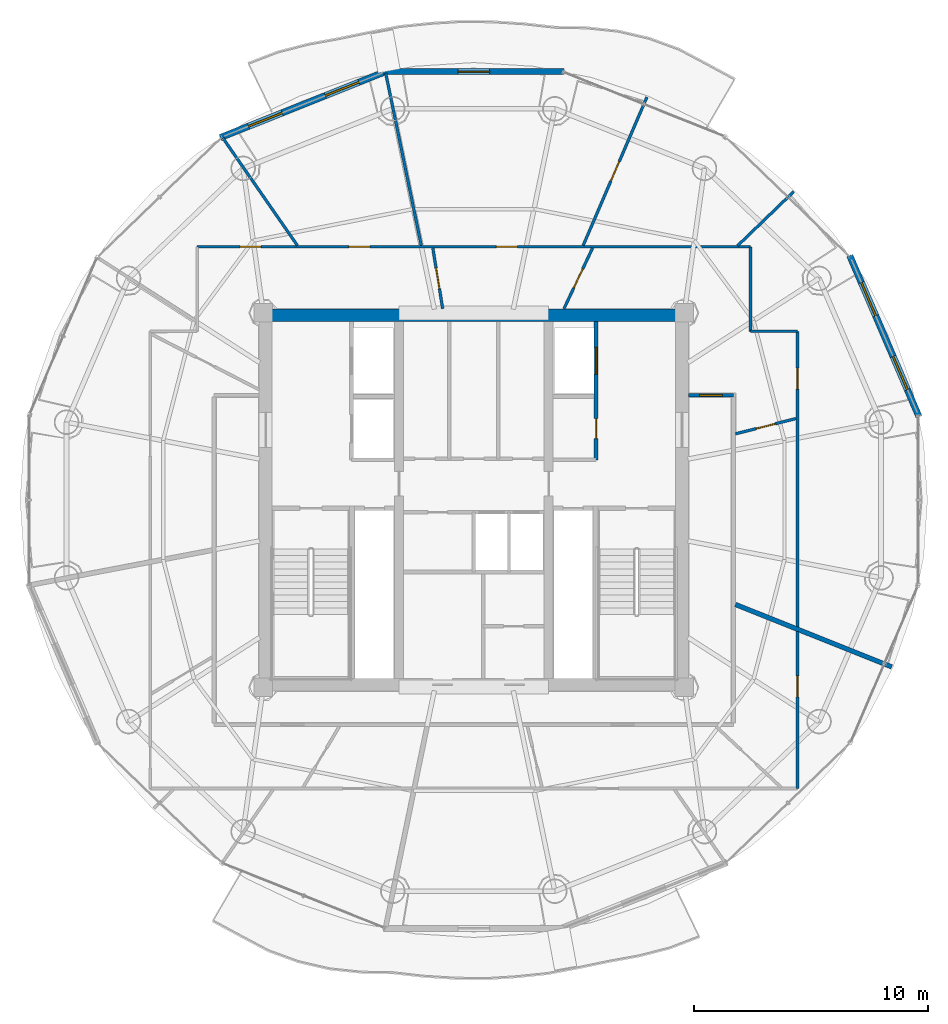
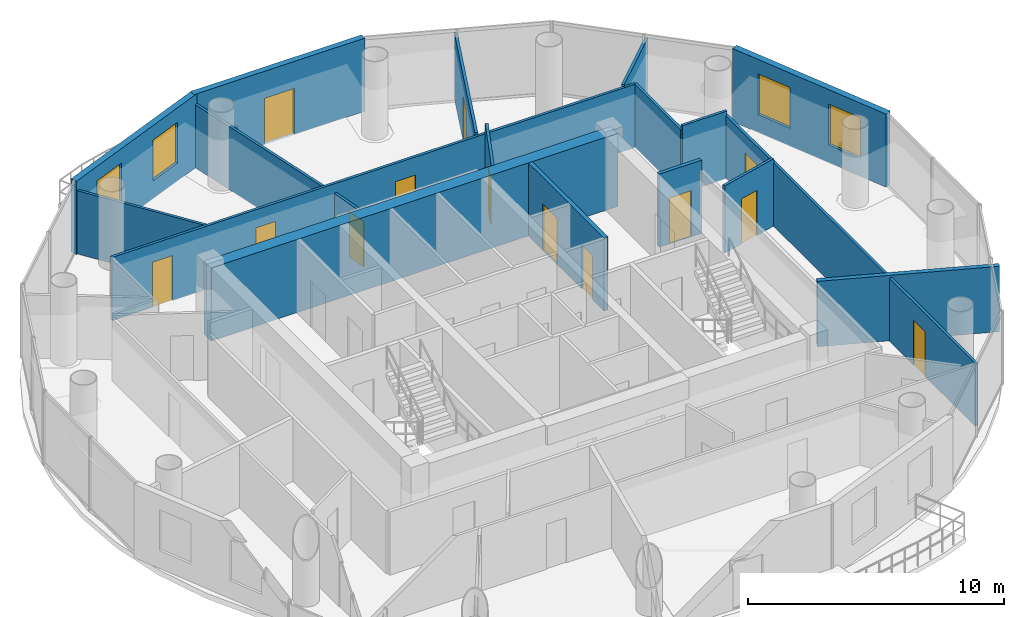
# One storey, part 19 of 23: 19 walls, 13 doors, 4 windows, 17 openings.
"""IFC4 building model written with IfcOpenShell, lengths in metres."""

from ifc_helpers import new_model, si_unit, direction, frame, frame_2d, origin, place, context, subcontext, project, spatial, rectangle, extrude, source, transform, mapped, material, layer, layer_set, type_object, element, fill, save


model = new_model("IFC4")

# Units and contexts
model_context = context("Model", 3, precision=1e-05, world=origin(), true_north=direction((-0.2419218956, 0.970295726276)))
body_context = subcontext(model_context, "Body", "Model", "MODEL_VIEW")
ifc_project = project(units=[si_unit("LENGTHUNIT", "METRE"), si_unit("AREAUNIT", "SQUARE_METRE"), si_unit("VOLUMEUNIT", "CUBIC_METRE"), si_unit("PLANEANGLEUNIT", "RADIAN"), si_unit("MASSUNIT", "GRAM", prefix="KILO")], contexts=[model_context])

# Site, building, storey
site_placement = place(None, origin())
site = spatial("IfcSite", under=ifc_project, at=site_placement, CompositionType="ELEMENT")
building_placement = place(site_placement, origin())
building = spatial("IfcBuilding", under=site, at=building_placement, Name="Cobrevalo Terracotta Tower", CompositionType="ELEMENT")
storey_placement = place(building_placement, frame((0.0, 0.0, 251.949951171875)))
storey = spatial("IfcBuildingStorey", under=building, at=storey_placement, Name="L66", CompositionType="ELEMENT", Elevation=251.949951171875)

# Wall
ifc_material_1 = material(Name="Concrete C50", Category="concrete")
ifc_layer_1 = layer(ifc_material_1, 0.550048828125)
ifc_layer_set_1 = layer_set([ifc_layer_1], Name="Concrete C50")
wall_type_1 = type_object("IfcWallType", Name="Core shear wall 550 mm Concrete C50", PredefinedType="SHEAR", material=ifc_layer_set_1)
wall_1_placement = place(storey_placement, frame((28.824951171875, 34.699951171875, 0.0), z_axis=(0.0, 0.0, 1.0), x_axis=(1.0, 0.0, 0.0)))
element("IfcWall", 1, at=wall_1_placement, inside=storey, type_object=wall_type_1, Name="L66 north core shear wall", PredefinedType="SHEAR", context=body_context, shape_type="SweptSolid", body=[
    extrude(rectangle(XDim=18.35009765625, YDim=0.550048828125, at=frame_2d((9.175048828125, 0.0))), origin(), (0.0, 0.0, 1.0), 3.489990234375),
])

# Wall, opening, door
ifc_material_2 = material(Name="Gypsum board on steel stud", Category="steel")
ifc_layer_2 = layer(ifc_material_2, 0.159912109375)
ifc_layer_set_2 = layer_set([ifc_layer_2], Name="Gypsum board on steel stud")
wall_type_2 = type_object("IfcWallType", Name="Fire-rated corridor acoustic partition wall 160 mm", PredefinedType="PARTITIONING", material=ifc_layer_set_2)
wall_2_placement = place(storey_placement, frame((47.175048828125, 31.280029296875, 0.0), z_axis=(0.0, 0.0, 1.0), x_axis=(1.0, 0.0, 0.0)))
wall_2 = element("IfcWall", 2, at=wall_2_placement, inside=storey, type_object=wall_type_2, Name="L66 interior partition IW-L66-COR-EN-CAP", PredefinedType="PARTITIONING", context=body_context, shape_type="SweptSolid", body=[
    extrude(rectangle(XDim=1.929931640625, YDim=0.159912109375, at=frame_2d((0.96484375, 0.0))), origin(), (0.0, 0.0, 1.0), 3.489990234375),
])
opening_1_placement = place(wall_2_placement, frame((0.47509765625, 0.0, 0.0)))
opening_1 = element("IfcOpeningElement", 3, at=opening_1_placement, cuts=wall_2, Name="Opening ID-05", PredefinedType="OPENING", context=body_context, shape_type="SweptSolid", body=[
    extrude(rectangle(XDim=0.97998046875, YDim=2.199951171875, at=frame_2d((0.489990234375, 1.10009765625))), frame((0.0, 0.08984375, 0.0), z_axis=(0.0, -1.0, 0.0), x_axis=(1.0, 0.0, 0.0)), (0.0, 0.0, 1.0), 0.179931640625),
])
ifc_material_3 = material(Name="Solid hardwood timber", Category="wood")
door_type_1 = type_object("IfcDoorType", Name="Residence entrance fire-rated acoustic timber door 980x2200 EI 60", OperationType="NOTDEFINED", PredefinedType="DOOR", material=ifc_material_3)
shared_shape_1 = source(origin(), body_context, "Body", "SweptSolid", [
    extrude(rectangle(XDim=0.97998046875, YDim=2.199951171875, at=frame_2d((0.489990234375, 1.10009765625))), frame((0.0, 0.02490234375, 0.0), z_axis=(0.0, -1.0, 0.0), x_axis=(1.0, 0.0, 0.0)), (0.0, 0.0, 1.0), 0.050048828125),
])
door_1_placement = place(opening_1_placement, origin())
door_1 = element("IfcDoor", 4, at=door_1_placement, inside=storey, type_object=door_type_1, Name="Flat L66A fire-rated apartment entrance door", OperationType="SINGLE_SWING_RIGHT", OverallHeight=2.199951171875, OverallWidth=0.97998046875, PredefinedType="DOOR", context=body_context, shape_type="MappedRepresentation", body=[
    mapped(shared_shape_1, transform((0.0, 0.0, 0.0), scale=1.0)),
])
fill(opening_1, door_1)

# Wall, openings, doors
ifc_layer_3 = layer(ifc_material_2, 0.179931640625)
ifc_layer_set_3 = layer_set([ifc_layer_3], Name="Gypsum board on steel stud")
wall_type_3 = type_object("IfcWallType", Name="Fire-rated shaft & lobby acoustic partition wall 180 mm", PredefinedType="PARTITIONING", material=ifc_layer_set_3)
wall_3_placement = place(storey_placement, frame((43.22998046875, 28.52001953125, 0.0), z_axis=(0.0, 0.0, 1.0), x_axis=(0.0, 1.0, 0.0)))
wall_3 = element("IfcWall", 5, at=wall_3_placement, inside=storey, type_object=wall_type_3, Name="L66 interior partition IW-L66-FF2-E", PredefinedType="PARTITIONING", context=body_context, shape_type="SweptSolid", body=[
    extrude(rectangle(XDim=5.905029296875, YDim=0.179931640625, at=frame_2d((2.95263671875, 0.0))), origin(), (0.0, 0.0, 1.0), 3.489990234375),
])
opening_2_placement = place(wall_3_placement, frame((0.905029296875, 0.0, 0.0)))
opening_2 = element("IfcOpeningElement", 6, at=opening_2_placement, cuts=wall_3, Name="Opening ID-22", PredefinedType="OPENING", context=body_context, shape_type="SweptSolid", body=[
    extrude(rectangle(XDim=0.85009765625, YDim=2.10009765625, at=frame_2d((0.425048828125, 1.050048828125))), frame((0.0, 0.10009765625, 0.0), z_axis=(0.0, -1.0, 0.0), x_axis=(1.0, 0.0, 0.0)), (0.0, 0.0, 1.0), 0.199951171875),
])
opening_3_placement = place(wall_3_placement, frame((3.655029296875, 0.0, 0.0)))
opening_3 = element("IfcOpeningElement", 7, at=opening_3_placement, cuts=wall_3, Name="Opening LD-02", PredefinedType="OPENING", context=body_context, shape_type="SweptSolid", body=[
    extrude(rectangle(XDim=1.14990234375, YDim=2.199951171875, at=frame_2d((0.574951171875, 1.10009765625))), frame((0.0, 0.10009765625, 0.0), z_axis=(0.0, -1.0, 0.0), x_axis=(1.0, 0.0, 0.0)), (0.0, 0.0, 1.0), 0.199951171875),
])
ifc_material_4 = material(Name="Powder-coated steel", Category="steel")
door_type_2 = type_object("IfcDoorType", Name="Riser shaft & meter closet fire access door 850x2100 EI 60", OperationType="NOTDEFINED", PredefinedType="DOOR", material=ifc_material_4)
shared_shape_2 = source(origin(), body_context, "Body", "SweptSolid", [
    extrude(rectangle(XDim=0.85009765625, YDim=2.10009765625, at=frame_2d((0.425048828125, 1.050048828125))), frame((0.0, 0.02490234375, 0.0), z_axis=(0.0, -1.0, 0.0), x_axis=(1.0, 0.0, 0.0)), (0.0, 0.0, 1.0), 0.050048828125),
])
door_2_placement = place(opening_2_placement, frame((0.85009765625, 0.0, 0.0), z_axis=(0.0, 0.0, 1.0), x_axis=(-1.0, 0.0, 0.0)))
door_2 = element("IfcDoor", 8, at=door_2_placement, inside=storey, type_object=door_type_2, Name="L66 housekeeping store door", OperationType="SINGLE_SWING_RIGHT", OverallHeight=2.10009765625, OverallWidth=0.85009765625, PredefinedType="DOOR", context=body_context, shape_type="MappedRepresentation", body=[
    mapped(shared_shape_2, transform((0.0, 0.0, 0.0), scale=1.0)),
])
fill(opening_2, door_2)
ifc_material_5 = material(Name="Brushed stainless steel", Category="steel")
door_type_3 = type_object("IfcDoorType", Name="Firefighting lift landing bi-parting sliding door 1150x2200 EI 120", OperationType="DOUBLE_DOOR_SLIDING", PredefinedType="DOOR", material=ifc_material_5)
shared_shape_3 = source(origin(), body_context, "Body", "SweptSolid", [
    extrude(rectangle(XDim=1.14990234375, YDim=2.199951171875, at=frame_2d((0.574951171875, 1.10009765625))), frame((0.0, 0.02490234375, 0.0), z_axis=(0.0, -1.0, 0.0), x_axis=(1.0, 0.0, 0.0)), (0.0, 0.0, 1.0), 0.050048828125),
])
door_3_placement = place(opening_3_placement, origin())
door_3 = element("IfcDoor", 9, at=door_3_placement, inside=storey, type_object=door_type_3, Name="L66 lift landing door FF-2", OperationType="DOUBLE_DOOR_SLIDING", OverallHeight=2.199951171875, OverallWidth=1.14990234375, PredefinedType="DOOR", context=body_context, shape_type="MappedRepresentation", body=[
    mapped(shared_shape_3, transform((0.0, 0.0, 0.0), scale=1.0)),
])
fill(opening_3, door_3)

# Wall
ifc_material_6 = material(Name="Autoclaved aerated concrete block", Category="concrete")
ifc_layer_4 = layer(ifc_material_6, 0.199951171875)
ifc_layer_set_4 = layer_set([ifc_layer_4], Name="Autoclaved aerated concrete block")
wall_type_4 = type_object("IfcWallType", Name="Fire-rated stair, shaft & demising masonry wall 200 mm", PredefinedType="PARTITIONING", material=ifc_layer_set_4)
wall_4_placement = place(storey_placement, frame((49.18505859375, 22.334228515625, 0.0), z_axis=(0.0, 0.0, 1.0), x_axis=(0.928710518269, -0.370805573389, 0.0)))
element("IfcWall", 10, at=wall_4_placement, inside=storey, type_object=wall_type_4, Name="L66 interior partition IW-L66-DEM-1", PredefinedType="PARTITIONING", context=body_context, shape_type="SweptSolid", body=[
    extrude(rectangle(XDim=7.195068359375, YDim=0.199951171875, at=frame_2d((3.59765625, 0.0))), origin(), (0.0, 0.0, 1.0), 3.12109375),
])

# Wall, openings, windows
ifc_layer_5 = layer(ifc_material_6, 0.280029296875)
ifc_layer_set_5 = layer_set([ifc_layer_5], Name="Autoclaved aerated concrete block")
wall_type_5 = type_object("IfcWallType", Name="Insulated tower spandrel & pier wall 280 mm with terracotta rainscreen", PredefinedType="SOLIDWALL", material=ifc_layer_set_5)
wall_5_placement = place(storey_placement, frame((57.029296875, 30.368896484375, 0.0), z_axis=(0.0, 0.0, 1.0), x_axis=(-0.394816612978, 0.918759948037, 0.0)))
wall_5 = element("IfcWall", 11, at=wall_5_placement, inside=storey, type_object=wall_type_5, Name="L66 terracotta rainscreen pier wall S01", PredefinedType="SOLIDWALL", context=body_context, shape_type="SweptSolid", body=[
    extrude(rectangle(XDim=7.4853515625, YDim=0.280029296875, at=frame_2d((3.74267578125, 0.0))), origin(), (0.0, 0.0, 1.0), 3.489990234375),
])
opening_4_placement = place(wall_5_placement, frame((1.24609375, 0.0, 0.85009765625)))
opening_4 = element("IfcOpeningElement", 12, at=opening_4_placement, cuts=wall_5, Name="Opening WN-12", PredefinedType="OPENING", context=body_context, shape_type="SweptSolid", body=[
    extrude(rectangle(XDim=1.550048828125, YDim=1.949951171875, at=frame_2d((0.77490234375, 0.97509765625))), frame((0.0, 0.14990234375, 0.0), z_axis=(0.0, -1.0, 0.0), x_axis=(1.0, 0.0, 0.0)), (0.0, 0.0, 1.0), 0.300048828125),
])
opening_5_placement = place(wall_5_placement, frame((4.689208984375, 0.0, 0.85009765625)))
opening_5 = element("IfcOpeningElement", 13, at=opening_5_placement, cuts=wall_5, Name="Opening WN-12", PredefinedType="OPENING", context=body_context, shape_type="SweptSolid", body=[
    extrude(rectangle(XDim=1.550048828125, YDim=1.949951171875, at=frame_2d((0.77490234375, 0.97509765625))), frame((0.0, 0.14990234375, 0.0), z_axis=(0.0, -1.0, 0.0), x_axis=(1.0, 0.0, 0.0)), (0.0, 0.0, 1.0), 0.300048828125),
])
ifc_material_7 = material(Name="Solar-control low-E double glazing", Category="glass")
window_type = type_object("IfcWindowType", Name="Solar-control low-E aluminium window 1550x1950", PartitioningType="SINGLE_PANEL", PredefinedType="WINDOW", material=ifc_material_7)
shared_shape_4 = source(origin(), body_context, "Body", "SweptSolid", [
    extrude(rectangle(XDim=1.550048828125, YDim=1.949951171875, at=frame_2d((0.77490234375, 0.97509765625))), frame((0.0, 0.030029296875, 0.0), z_axis=(0.0, -1.0, 0.0), x_axis=(1.0, 0.0, 0.0)), (0.0, 0.0, 1.0), 0.06005859375),
])
window_1_placement = place(opening_4_placement, origin())
window_1 = element("IfcWindow", 14, at=window_1_placement, inside=storey, type_object=window_type, Name="L66 suite window S01A", OverallHeight=1.949951171875, OverallWidth=1.550048828125, PartitioningType="SINGLE_PANEL", PredefinedType="WINDOW", context=body_context, shape_type="MappedRepresentation", body=[
    mapped(shared_shape_4, transform((0.0, 0.0, 0.0), scale=1.0)),
])
fill(opening_4, window_1)
window_2_placement = place(opening_5_placement, origin())
window_2 = element("IfcWindow", 15, at=window_2_placement, inside=storey, type_object=window_type, Name="L66 suite window S01B", OverallHeight=1.949951171875, OverallWidth=1.550048828125, PartitioningType="SINGLE_PANEL", PredefinedType="WINDOW", context=body_context, shape_type="MappedRepresentation", body=[
    mapped(shared_shape_4, transform((0.0, 0.0, 0.0), scale=1.0)),
])
fill(opening_5, window_2)

wall_6_placement = place(storey_placement, frame((34.29541015625, 45.140869140625, 0.0), z_axis=(0.0, 0.0, 1.0), x_axis=(-0.928724272392, -0.370771123296, 0.0)))
wall_6 = element("IfcWall", 16, at=wall_6_placement, inside=storey, type_object=wall_type_5, Name="L66 terracotta rainscreen pier wall S05", PredefinedType="SOLIDWALL", context=body_context, shape_type="SweptSolid", body=[
    extrude(rectangle(XDim=7.678466796875, YDim=0.280029296875, at=frame_2d((3.83935546875, 0.0))), origin(), (0.0, 0.0, 1.0), 3.489990234375),
])
opening_6_placement = place(wall_6_placement, frame((1.298095703125, 0.0, 0.85009765625)))
opening_6 = element("IfcOpeningElement", 17, at=opening_6_placement, cuts=wall_6, Name="Opening WN-12", PredefinedType="OPENING", context=body_context, shape_type="SweptSolid", body=[
    extrude(rectangle(XDim=1.550048828125, YDim=1.949951171875, at=frame_2d((0.77490234375, 0.97509765625))), frame((0.0, 0.14990234375, 0.0), z_axis=(0.0, -1.0, 0.0), x_axis=(1.0, 0.0, 0.0)), (0.0, 0.0, 1.0), 0.300048828125),
])
opening_7_placement = place(wall_6_placement, frame((4.830078125, 0.0, 0.85009765625)))
opening_7 = element("IfcOpeningElement", 18, at=opening_7_placement, cuts=wall_6, Name="Opening WN-12", PredefinedType="OPENING", context=body_context, shape_type="SweptSolid", body=[
    extrude(rectangle(XDim=1.550048828125, YDim=1.949951171875, at=frame_2d((0.77490234375, 0.97509765625))), frame((0.0, 0.14990234375, 0.0), z_axis=(0.0, -1.0, 0.0), x_axis=(1.0, 0.0, 0.0)), (0.0, 0.0, 1.0), 0.300048828125),
])
window_3_placement = place(opening_6_placement, origin())
window_3 = element("IfcWindow", 19, at=window_3_placement, inside=storey, type_object=window_type, Name="L66 suite window S05A", OverallHeight=1.949951171875, OverallWidth=1.550048828125, PartitioningType="SINGLE_PANEL", PredefinedType="WINDOW", context=body_context, shape_type="MappedRepresentation", body=[
    mapped(shared_shape_4, transform((0.0, 0.0, 0.0), scale=1.0)),
])
fill(opening_6, window_3)
window_4_placement = place(opening_7_placement, origin())
window_4 = element("IfcWindow", 20, at=window_4_placement, inside=storey, type_object=window_type, Name="L66 suite window S05B", OverallHeight=1.949951171875, OverallWidth=1.550048828125, PartitioningType="SINGLE_PANEL", PredefinedType="WINDOW", context=body_context, shape_type="MappedRepresentation", body=[
    mapped(shared_shape_4, transform((0.0, 0.0, 0.0), scale=1.0)),
])
fill(opening_7, window_4)

# Wall, opening, door
ifc_layer_6 = layer(ifc_material_6, 0.260009765625)
ifc_layer_set_6 = layer_set([ifc_layer_6], Name="Autoclaved aerated concrete block")
wall_type_6 = type_object("IfcWallType", Name="Recessed balcony loggia insulated exterior wall 260 mm", PredefinedType="SOLIDWALL", material=ifc_layer_set_6)
wall_7_placement = place(storey_placement, frame((41.85888671875, 45.111328125, 0.0), z_axis=(0.0, 0.0, 1.0), x_axis=(-1.0, 0.0, 0.0)))
wall_7 = element("IfcWall", 21, at=wall_7_placement, inside=storey, type_object=wall_type_6, Name="L66 balcony loggia wall S04", PredefinedType="SOLIDWALL", context=body_context, shape_type="SweptSolid", body=[
    extrude(rectangle(XDim=7.7177734375, YDim=0.260009765625, at=frame_2d((3.85888671875, 0.0))), origin(), (0.0, 0.0, 1.0), 3.489990234375),
])
opening_8_placement = place(wall_7_placement, frame((3.183837890625, 0.0, 0.0)))
opening_8 = element("IfcOpeningElement", 22, at=opening_8_placement, cuts=wall_7, Name="Opening ED-05", PredefinedType="OPENING", context=body_context, shape_type="SweptSolid", body=[
    extrude(rectangle(XDim=1.35009765625, YDim=2.199951171875, at=frame_2d((0.675048828125, 1.10009765625))), frame((0.0, 0.14013671875, 0.0), z_axis=(0.0, -1.0, 0.0), x_axis=(1.0, 0.0, 0.0)), (0.0, 0.0, 1.0), 0.280029296875),
])
ifc_material_8 = material(Name="Anodized aluminium and laminated glass", Category="aluminium")
door_type_4 = type_object("IfcDoorType", Name="Suite balcony acoustic glazed terrace door 1350x2200", OperationType="NOTDEFINED", PredefinedType="DOOR", material=ifc_material_8)
shared_shape_5 = source(origin(), body_context, "Body", "SweptSolid", [
    extrude(rectangle(XDim=1.35009765625, YDim=2.199951171875, at=frame_2d((0.675048828125, 1.10009765625))), frame((0.0, 0.02490234375, 0.0), z_axis=(0.0, -1.0, 0.0), x_axis=(1.0, 0.0, 0.0)), (0.0, 0.0, 1.0), 0.050048828125),
])
door_4_placement = place(opening_8_placement, frame((1.35009765625, 0.0, 0.0), z_axis=(0.0, 0.0, 1.0), x_axis=(-1.0, 0.0, 0.0)))
door_4 = element("IfcDoor", 23, at=door_4_placement, inside=storey, type_object=door_type_4, Name="L66 glazed balcony terrace door 1", OperationType="SINGLE_SWING_LEFT", OverallHeight=2.199951171875, OverallWidth=1.35009765625, PredefinedType="DOOR", context=body_context, shape_type="MappedRepresentation", body=[
    mapped(shared_shape_5, transform((0.0, 0.0, 0.0), scale=1.0)),
])
fill(opening_8, door_4)

# Wall, openings, doors
ifc_layer_7 = layer(ifc_material_2, 0.1201171875)
ifc_layer_set_7 = layer_set([ifc_layer_7], Name="Gypsum board on steel stud")
wall_type_7 = type_object("IfcWallType", Name="Residential internal acoustic stud partition 120 mm", PredefinedType="PARTITIONING", material=ifc_layer_set_7)
wall_8_placement = place(storey_placement, frame((26.175048828125, 37.625, 0.0), z_axis=(0.0, 0.0, 1.0), x_axis=(1.0, 0.0, 0.0)))
wall_8 = element("IfcWall", 24, at=wall_8_placement, inside=storey, type_object=wall_type_7, Name="L66 interior partition IW-L66-U1-RING3_0", PredefinedType="PARTITIONING", context=body_context, shape_type="SweptSolid", body=[
    extrude(rectangle(XDim=23.64990234375, YDim=0.1201171875, at=frame_2d((11.824951171875, 0.0))), origin(), (0.0, 0.0, 1.0), 3.01513671875),
])
opening_9_placement = place(wall_8_placement, frame((12.791259765625, 0.0, 0.0)))
opening_9 = element("IfcOpeningElement", 25, at=opening_9_placement, cuts=wall_8, Name="Opening ID-12", PredefinedType="OPENING", context=body_context, shape_type="SweptSolid", body=[
    extrude(rectangle(XDim=0.89990234375, YDim=2.14990234375, at=frame_2d((0.449951171875, 1.074951171875))), frame((0.0, 0.070068359375, 0.0), z_axis=(0.0, -1.0, 0.0), x_axis=(1.0, 0.0, 0.0)), (0.0, 0.0, 1.0), 0.14013671875),
])
opening_10_placement = place(wall_8_placement, frame((6.47998046875, 0.0, 0.0)))
opening_10 = element("IfcOpeningElement", 26, at=opening_10_placement, cuts=wall_8, Name="Opening ID-12", PredefinedType="OPENING", context=body_context, shape_type="SweptSolid", body=[
    extrude(rectangle(XDim=0.89990234375, YDim=2.14990234375, at=frame_2d((0.449951171875, 1.074951171875))), frame((0.0, 0.070068359375, 0.0), z_axis=(0.0, -1.0, 0.0), x_axis=(1.0, 0.0, 0.0)), (0.0, 0.0, 1.0), 0.14013671875),
])
opening_11_placement = place(wall_8_placement, frame((1.83056640625, 0.0, 0.0)))
opening_11 = element("IfcOpeningElement", 27, at=opening_11_placement, cuts=wall_8, Name="Opening ID-12", PredefinedType="OPENING", context=body_context, shape_type="SweptSolid", body=[
    extrude(rectangle(XDim=0.89990234375, YDim=2.14990234375, at=frame_2d((0.449951171875, 1.074951171875))), frame((0.0, 0.070068359375, 0.0), z_axis=(0.0, -1.0, 0.0), x_axis=(1.0, 0.0, 0.0)), (0.0, 0.0, 1.0), 0.14013671875),
])
ifc_material_9 = material(Name="Engineered timber", Category="wood")
door_type_5 = type_object("IfcDoorType", Name="Internal residence & suite timber door 900x2150", OperationType="NOTDEFINED", PredefinedType="DOOR", material=ifc_material_9)
shared_shape_6 = source(origin(), body_context, "Body", "SweptSolid", [
    extrude(rectangle(XDim=0.89990234375, YDim=2.14990234375, at=frame_2d((0.449951171875, 1.074951171875))), frame((0.0, 0.02490234375, 0.0), z_axis=(0.0, -1.0, 0.0), x_axis=(1.0, 0.0, 0.0)), (0.0, 0.0, 1.0), 0.050048828125),
])
door_5_placement = place(opening_9_placement, origin())
door_5 = element("IfcDoor", 28, at=door_5_placement, inside=storey, type_object=door_type_5, Name="Flat L66A Penthouse Family Lounge internal door", OperationType="SINGLE_SWING_RIGHT", OverallHeight=2.14990234375, OverallWidth=0.89990234375, PredefinedType="DOOR", context=body_context, shape_type="MappedRepresentation", body=[
    mapped(shared_shape_6, transform((0.0, 0.0, 0.0), scale=1.0)),
])
fill(opening_9, door_5)
door_6_placement = place(opening_10_placement, origin())
door_6 = element("IfcDoor", 29, at=door_6_placement, inside=storey, type_object=door_type_5, Name="Flat L66A Principal Guest Bedroom internal door", OperationType="SINGLE_SWING_RIGHT", OverallHeight=2.14990234375, OverallWidth=0.89990234375, PredefinedType="DOOR", context=body_context, shape_type="MappedRepresentation", body=[
    mapped(shared_shape_6, transform((0.0, 0.0, 0.0), scale=1.0)),
])
fill(opening_10, door_6)
door_7_placement = place(opening_11_placement, origin())
door_7 = element("IfcDoor", 30, at=door_7_placement, inside=storey, type_object=door_type_5, Name="Flat L66A Penthouse Family Lounge internal door", OperationType="SINGLE_SWING_LEFT", OverallHeight=2.14990234375, OverallWidth=0.89990234375, PredefinedType="DOOR", context=body_context, shape_type="MappedRepresentation", body=[
    mapped(shared_shape_6, transform((0.0, 0.0, 0.0), scale=1.0)),
])
fill(opening_11, door_7)

# Walls
wall_9_placement = place(storey_placement, frame((49.824951171875, 37.625, 0.0), z_axis=(0.0, 0.0, 1.0), x_axis=(0.0, -1.0, 0.0)))
element("IfcWall", 31, at=wall_9_placement, inside=storey, type_object=wall_type_7, Name="L66 interior partition IW-L66-U1-RING4_0", PredefinedType="PARTITIONING", context=body_context, shape_type="SweptSolid", body=[
    extrude(rectangle(XDim=3.614990234375, YDim=0.1201171875, at=frame_2d((1.8076171875, 0.0))), origin(), (0.0, 0.0, 1.0), 3.01513671875),
])
wall_10_placement = place(storey_placement, frame((49.824951171875, 34.010009765625, 0.0), z_axis=(0.0, 0.0, 1.0), x_axis=(1.0, 0.0, 0.0)))
element("IfcWall", 32, at=wall_10_placement, inside=storey, type_object=wall_type_7, Name="L66 interior partition IW-L66-U1-RING5_0", PredefinedType="PARTITIONING", context=body_context, shape_type="SweptSolid", body=[
    extrude(rectangle(XDim=2.010009765625, YDim=0.1201171875, at=frame_2d((1.0048828125, 0.0))), origin(), (0.0, 0.0, 1.0), 3.208984375),
])

# Wall, opening, door
wall_11_placement = place(storey_placement, frame((51.8349609375, 34.010009765625, 0.0), z_axis=(0.0, 0.0, 1.0), x_axis=(0.0, -1.0, 0.0)))
wall_11 = element("IfcWall", 33, at=wall_11_placement, inside=storey, type_object=wall_type_7, Name="L66 interior partition IW-L66-U1-RING6_0", PredefinedType="PARTITIONING", context=body_context, shape_type="SweptSolid", body=[
    extrude(rectangle(XDim=12.6318359375, YDim=0.1201171875, at=frame_2d((6.31591796875, 0.0))), origin(), (0.0, 0.0, 1.0), 3.01513671875),
])
opening_12_placement = place(wall_11_placement, frame((1.5703125, 0.0, 0.0)))
opening_12 = element("IfcOpeningElement", 34, at=opening_12_placement, cuts=wall_11, Name="Opening ID-12", PredefinedType="OPENING", context=body_context, shape_type="SweptSolid", body=[
    extrude(rectangle(XDim=0.89990234375, YDim=2.14990234375, at=frame_2d((0.449951171875, 1.074951171875))), frame((0.0, 0.070068359375, 0.0), z_axis=(0.0, -1.0, 0.0), x_axis=(1.0, 0.0, 0.0)), (0.0, 0.0, 1.0), 0.14013671875),
])
door_8_placement = place(opening_12_placement, origin())
door_8 = element("IfcDoor", 35, at=door_8_placement, inside=storey, type_object=door_type_5, Name="Flat L66A Penthouse Living and Dining Room internal door", OperationType="SINGLE_SWING_RIGHT", OverallHeight=2.14990234375, OverallWidth=0.89990234375, PredefinedType="DOOR", context=body_context, shape_type="MappedRepresentation", body=[
    mapped(shared_shape_6, transform((0.0, 0.0, 0.0), scale=1.0)),
])
fill(opening_12, door_8)

# Wall
wall_12_placement = place(storey_placement, frame((49.27490234375, 37.66796875, 0.0), z_axis=(0.0, 0.0, 1.0), x_axis=(0.719954096891, 0.694021684366, 0.0)))
element("IfcWall", 36, at=wall_12_placement, inside=storey, type_object=wall_type_7, Name="L66 interior partition IW-L66-U1-ORAD1", PredefinedType="PARTITIONING", context=body_context, shape_type="SweptSolid", body=[
    extrude(rectangle(XDim=3.332763671875, YDim=0.1201171875, at=frame_2d((1.66650390625, 0.0))), origin(), (0.0, 0.0, 1.0), 3.12109375),
])

# Wall, opening, door
wall_13_placement = place(storey_placement, frame((42.67626953125, 37.681884765625, 0.0), z_axis=(0.0, 0.0, 1.0), x_axis=(0.394777489933, 0.918776759307, 0.0)))
wall_13 = element("IfcWall", 37, at=wall_13_placement, inside=storey, type_object=wall_type_7, Name="L66 interior partition IW-L66-U1-ORAD2M1", PredefinedType="PARTITIONING", context=body_context, shape_type="SweptSolid", body=[
    extrude(rectangle(XDim=6.899658203125, YDim=0.1201171875, at=frame_2d((3.44970703125, 0.0))), origin(), (0.0, 0.0, 1.0), 3.12109375),
])
opening_13_placement = place(wall_13_placement, frame((3.0, 0.0, 0.0)))
opening_13 = element("IfcOpeningElement", 38, at=opening_13_placement, cuts=wall_13, Name="Opening ID-12", PredefinedType="OPENING", context=body_context, shape_type="SweptSolid", body=[
    extrude(rectangle(XDim=0.89990234375, YDim=2.14990234375, at=frame_2d((0.449951171875, 1.074951171875))), frame((0.0, 0.070068359375, 0.0), z_axis=(0.0, -1.0, 0.0), x_axis=(1.0, 0.0, 0.0)), (0.0, 0.0, 1.0), 0.14013671875),
])
door_9_placement = place(opening_13_placement, frame((0.89990234375, 0.0, 0.0), z_axis=(0.0, 0.0, 1.0), x_axis=(-1.0, 0.0, 0.0)))
door_9 = element("IfcDoor", 39, at=door_9_placement, inside=storey, type_object=door_type_5, Name="Flat L66A Master Bedroom internal door", OperationType="SINGLE_SWING_LEFT", OverallHeight=2.14990234375, OverallWidth=0.89990234375, PredefinedType="DOOR", context=body_context, shape_type="MappedRepresentation", body=[
    mapped(shared_shape_6, transform((0.0, 0.0, 0.0), scale=1.0)),
])
fill(opening_13, door_9)

# Walls
wall_14_placement = place(storey_placement, frame((35.753662109375, 37.685791015625, 0.0), z_axis=(0.0, 0.0, 1.0), x_axis=(-0.202105877204, 0.979363678313, 0.0)))
element("IfcWall", 40, at=wall_14_placement, inside=storey, type_object=wall_type_7, Name="L66 interior partition IW-L66-U1-ORAD2", PredefinedType="PARTITIONING", context=body_context, shape_type="SweptSolid", body=[
    extrude(rectangle(XDim=7.512451171875, YDim=0.1201171875, at=frame_2d((3.75634765625, 0.0))), origin(), (0.0, 0.0, 1.0), 3.01513671875),
])
wall_15_placement = place(storey_placement, frame((30.4609375, 37.676025390625, 0.0), z_axis=(0.0, 0.0, 1.0), x_axis=(-0.569689482466, 0.821860020665, 0.0)))
element("IfcWall", 41, at=wall_15_placement, inside=storey, type_object=wall_type_7, Name="L66 interior partition IW-L66-U1-ORAD3M1", PredefinedType="PARTITIONING", context=body_context, shape_type="SweptSolid", body=[
    extrude(rectangle(XDim=5.585205078125, YDim=0.1201171875, at=frame_2d((2.79248046875, 0.0))), origin(), (0.0, 0.0, 1.0), 3.01513671875),
])

# Wall, opening, door
wall_16_placement = place(storey_placement, frame((49.18505859375, 29.626953125, 0.0), z_axis=(0.0, 0.0, 1.0), x_axis=(0.969515658159, 0.2450293627, 0.0)))
wall_16 = element("IfcWall", 42, at=wall_16_placement, inside=storey, type_object=wall_type_7, Name="L66 interior partition IW-L66-U1-IRAD1", PredefinedType="PARTITIONING", context=body_context, shape_type="SweptSolid", body=[
    extrude(rectangle(XDim=2.67138671875, YDim=0.1201171875, at=frame_2d((1.335693359375, 0.0))), origin(), (0.0, 0.0, 1.0), 3.208984375),
])
opening_14_placement = place(wall_16_placement, frame((0.90576171875, 0.0, 0.0)))
opening_14 = element("IfcOpeningElement", 43, at=opening_14_placement, cuts=wall_16, Name="Opening ID-19", PredefinedType="OPENING", context=body_context, shape_type="SweptSolid", body=[
    extrude(rectangle(XDim=0.860107421875, YDim=2.14990234375, at=frame_2d((0.43017578125, 1.074951171875))), frame((0.0, 0.070068359375, 0.0), z_axis=(0.0, -1.0, 0.0), x_axis=(1.0, 0.0, 0.0)), (0.0, 0.0, 1.0), 0.14013671875),
])
ifc_material_10 = material(Name="Moisture-sealed timber", Category="wood")
door_type_6 = type_object("IfcDoorType", Name="Suite bathroom internal timber door 860x2150", OperationType="NOTDEFINED", PredefinedType="DOOR", material=ifc_material_10)
shared_shape_7 = source(origin(), body_context, "Body", "SweptSolid", [
    extrude(rectangle(XDim=0.860107421875, YDim=2.14990234375, at=frame_2d((0.43017578125, 1.074951171875))), frame((0.0, 0.02490234375, 0.0), z_axis=(0.0, -1.0, 0.0), x_axis=(1.0, 0.0, 0.0)), (0.0, 0.0, 1.0), 0.050048828125),
])
door_10_placement = place(opening_14_placement, frame((0.860107421875, 0.0, 0.0), z_axis=(0.0, 0.0, 1.0), x_axis=(-1.0, 0.0, 0.0)))
door_10 = element("IfcDoor", 44, at=door_10_placement, inside=storey, type_object=door_type_6, Name="Flat L66A Primary Bathroom internal door", OperationType="SINGLE_SWING_LEFT", OverallHeight=2.14990234375, OverallWidth=0.860107421875, PredefinedType="DOOR", context=body_context, shape_type="MappedRepresentation", body=[
    mapped(shared_shape_7, transform((0.0, 0.0, 0.0), scale=1.0)),
])
fill(opening_14, door_10)

wall_17_placement = place(storey_placement, frame((41.854248046875, 34.976806640625, 0.0), z_axis=(0.0, 0.0, 1.0), x_axis=(0.42640827804, 0.904530806783, 0.0)))
wall_17 = element("IfcWall", 45, at=wall_17_placement, inside=storey, type_object=wall_type_7, Name="L66 interior partition IW-L66-U1-IRAD2", PredefinedType="PARTITIONING", context=body_context, shape_type="SweptSolid", body=[
    extrude(rectangle(XDim=2.86572265625, YDim=0.1201171875, at=frame_2d((1.432861328125, 0.0))), origin(), (0.0, 0.0, 1.0), 3.489990234375),
])
opening_15_placement = place(wall_17_placement, frame((0.98291015625, 0.0, 0.0)))
opening_15 = element("IfcOpeningElement", 46, at=opening_15_placement, cuts=wall_17, Name="Opening ID-12", PredefinedType="OPENING", context=body_context, shape_type="SweptSolid", body=[
    extrude(rectangle(XDim=0.89990234375, YDim=2.14990234375, at=frame_2d((0.449951171875, 1.074951171875))), frame((0.0, 0.070068359375, 0.0), z_axis=(0.0, -1.0, 0.0), x_axis=(1.0, 0.0, 0.0)), (0.0, 0.0, 1.0), 0.14013671875),
])
door_11_placement = place(opening_15_placement, origin())
door_11 = element("IfcDoor", 47, at=door_11_placement, inside=storey, type_object=door_type_5, Name="Flat L66A Kitchen internal door", OperationType="SINGLE_SWING_LEFT", OverallHeight=2.14990234375, OverallWidth=0.89990234375, PredefinedType="DOOR", context=body_context, shape_type="MappedRepresentation", body=[
    mapped(shared_shape_6, transform((0.0, 0.0, 0.0), scale=1.0)),
])
fill(opening_15, door_11)

wall_18_placement = place(storey_placement, frame((36.670166015625, 34.97705078125, 0.0), z_axis=(0.0, 0.0, 1.0), x_axis=(-0.160605953374, 0.98701860557, 0.0)))
wall_18 = element("IfcWall", 48, at=wall_18_placement, inside=storey, type_object=wall_type_7, Name="L66 interior partition IW-L66-U1-IRAD3", PredefinedType="PARTITIONING", context=body_context, shape_type="SweptSolid", body=[
    extrude(rectangle(XDim=2.62060546875, YDim=0.1201171875, at=frame_2d((1.310302734375, 0.0))), origin(), (0.0, 0.0, 1.0), 2.574951171875),
])
opening_16_placement = place(wall_18_placement, frame((0.8603515625, 0.0, 0.0)))
opening_16 = element("IfcOpeningElement", 49, at=opening_16_placement, cuts=wall_18, Name="Opening ID-12", PredefinedType="OPENING", context=body_context, shape_type="SweptSolid", body=[
    extrude(rectangle(XDim=0.89990234375, YDim=2.14990234375, at=frame_2d((0.449951171875, 1.074951171875))), frame((0.0, 0.070068359375, 0.0), z_axis=(0.0, -1.0, 0.0), x_axis=(1.0, 0.0, 0.0)), (0.0, 0.0, 1.0), 0.14013671875),
])
door_12_placement = place(opening_16_placement, origin())
door_12 = element("IfcDoor", 50, at=door_12_placement, inside=storey, type_object=door_type_5, Name="Flat L66A Private Library Meeting Room internal door", OperationType="SINGLE_SWING_LEFT", OverallHeight=2.14990234375, OverallWidth=0.89990234375, PredefinedType="DOOR", context=body_context, shape_type="MappedRepresentation", body=[
    mapped(shared_shape_6, transform((0.0, 0.0, 0.0), scale=1.0)),
])
fill(opening_16, door_12)

wall_19_placement = place(storey_placement, frame((51.8349609375, 21.174072265625, 0.0), z_axis=(0.0, 0.0, 1.0), x_axis=(0.0, -1.0, 0.0)))
wall_19 = element("IfcWall", 51, at=wall_19_placement, inside=storey, type_object=wall_type_7, Name="L66 interior partition IW-L66-U3-RING0_0", PredefinedType="PARTITIONING", context=body_context, shape_type="SweptSolid", body=[
    extrude(rectangle(XDim=6.708984375, YDim=0.1201171875, at=frame_2d((3.3544921875, 0.0))), origin(), (0.0, 0.0, 1.0), 3.01513671875),
])
opening_17_placement = place(wall_19_placement, frame((1.88818359375, 0.0, 0.0)))
opening_17 = element("IfcOpeningElement", 52, at=opening_17_placement, cuts=wall_19, Name="Opening ID-12", PredefinedType="OPENING", context=body_context, shape_type="SweptSolid", body=[
    extrude(rectangle(XDim=0.89990234375, YDim=2.14990234375, at=frame_2d((0.449951171875, 1.074951171875))), frame((0.0, 0.070068359375, 0.0), z_axis=(0.0, -1.0, 0.0), x_axis=(1.0, 0.0, 0.0)), (0.0, 0.0, 1.0), 0.14013671875),
])
door_13_placement = place(opening_17_placement, origin())
door_13 = element("IfcDoor", 53, at=door_13_placement, inside=storey, type_object=door_type_5, Name="Flat L66C Master Bedroom internal door", OperationType="SINGLE_SWING_RIGHT", OverallHeight=2.14990234375, OverallWidth=0.89990234375, PredefinedType="DOOR", context=body_context, shape_type="MappedRepresentation", body=[
    mapped(shared_shape_6, transform((0.0, 0.0, 0.0), scale=1.0)),
])
fill(opening_17, door_13)

save(model, "model.ifc")
